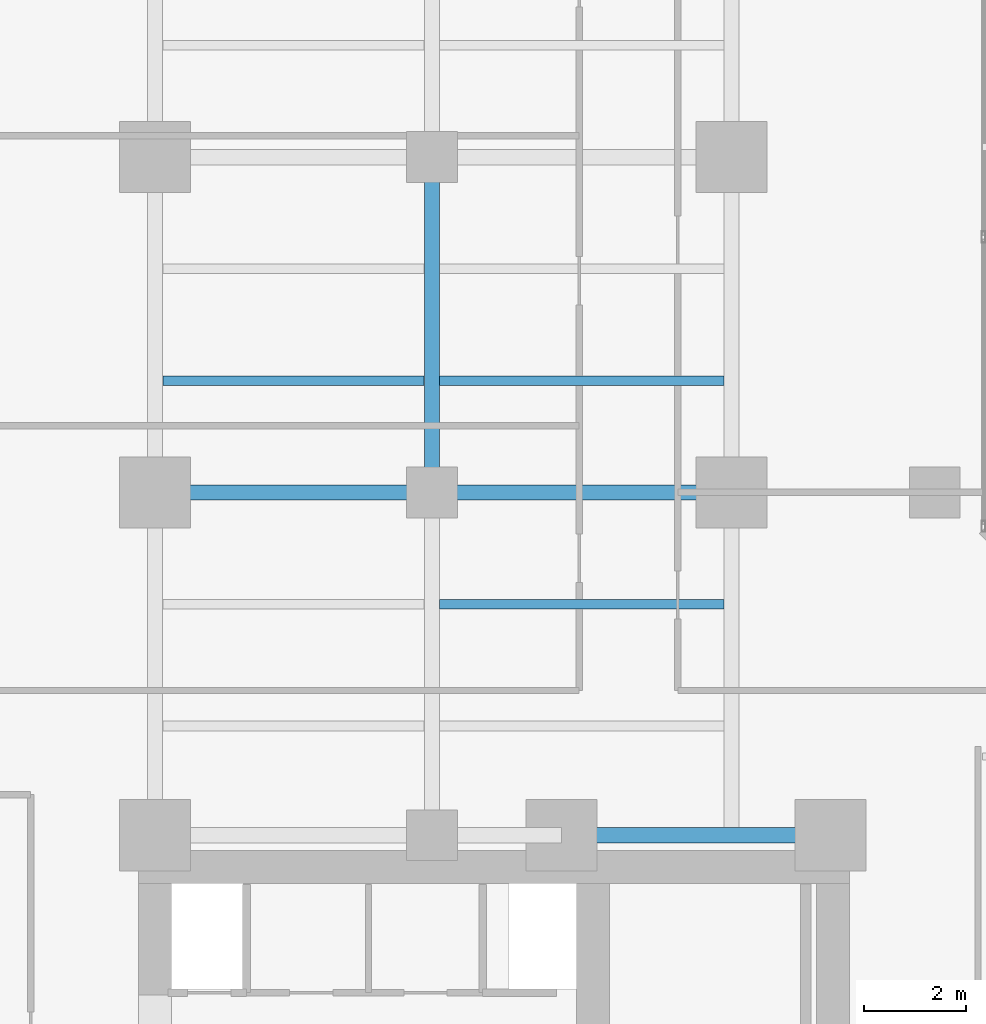
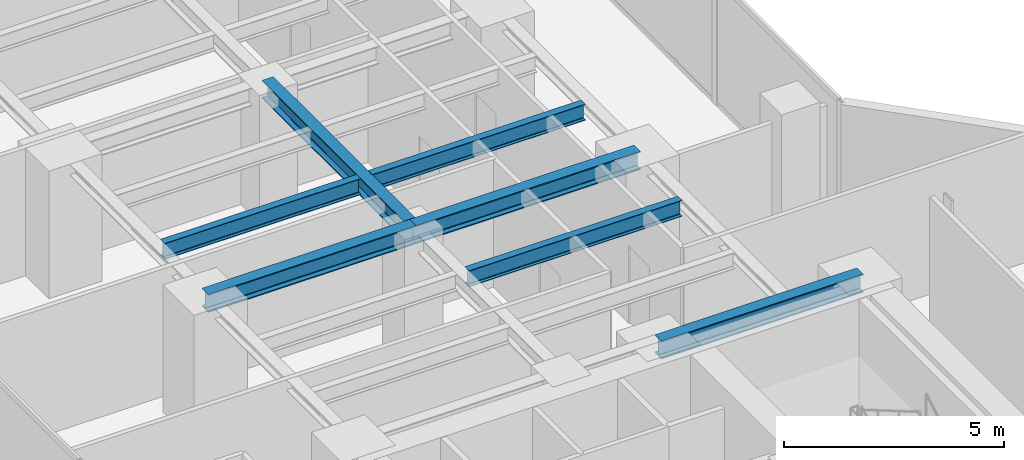
# One storey, part 9 of 26: 7 beams.
"""IFC4 building model written with IfcOpenShell, lengths in metres."""

from ifc_helpers import new_model, si_unit, direction, frame, origin, origin_2d, place, context, subcontext, project, spatial, i_section, extrude, material, material_profile, profile_set, type_object, element, save


model = new_model("IFC4")

# Units and contexts
model_context = context("Model", 3, precision=1e-05, world=origin(), true_north=direction((0.0, 1.0)))
body_context = subcontext(model_context, "Body", "Model", "MODEL_VIEW")
ifc_project = project(units=[si_unit("LENGTHUNIT", "METRE"), si_unit("AREAUNIT", "SQUARE_METRE"), si_unit("VOLUMEUNIT", "CUBIC_METRE"), si_unit("PLANEANGLEUNIT", "RADIAN"), si_unit("MASSUNIT", "GRAM", prefix="KILO")], contexts=[model_context])

# Site, building, storey
site_placement = place(None, origin())
site = spatial("IfcSite", under=ifc_project, at=site_placement, CompositionType="ELEMENT")
building_placement = place(site_placement, origin())
building = spatial("IfcBuilding", under=site, at=building_placement, Name="Kolvaren Waterfront Exchange", CompositionType="ELEMENT")
storey_placement = place(building_placement, frame((0.0, 0.0, 99.300048828125)))
storey = spatial("IfcBuildingStorey", under=building, at=storey_placement, Name="L25", CompositionType="ELEMENT", Elevation=99.300048828125)

# Beams
ifc_material = material(Name="Steel S355", Category="steel")
ifc_material_profile_1 = material_profile(ifc_material, i_section(OverallWidth=0.300048828125, OverallDepth=0.5, WebThickness=0.014404296875, FlangeThickness=0.028076171875, FilletRadius=0.027099609375, at=origin_2d()), Name="HEB500")
ifc_profile_set_1 = profile_set([ifc_material_profile_1], Name="Steel S355")
beam_type_1 = type_object("IfcBeamType", Name="STR-BM-HEB500", PredefinedType="BEAM", material=ifc_profile_set_1)
beam_1_placement = place(storey_placement, frame((15.449951171875, 24.449951171875, 3.2900390625), z_axis=(1.0, 0.0, 0.0), x_axis=(0.0, 1.0, 0.0)))
element("IfcBeam", 1, at=beam_1_placement, inside=storey, type_object=beam_type_1, Name="L25 north-arm girder 1C", PredefinedType="BEAM", context=body_context, shape_type="SweptSolid", body=[
    extrude(i_section(OverallWidth=0.300048828125, OverallDepth=0.5, WebThickness=0.014404296875, FlangeThickness=0.028076171875, FilletRadius=0.027099609375, at=origin_2d()), origin(), (0.0, 0.0, 1.0), 5.300048828125),
])
beam_2_placement = place(storey_placement, frame((7.449951171875, 31.199951171875, 3.2900390625), z_axis=(1.0, 0.0, 0.0), x_axis=(0.0, 1.0, 0.0)))
element("IfcBeam", 2, at=beam_2_placement, inside=storey, type_object=beam_type_1, Name="L25 north-arm girder 2A", PredefinedType="BEAM", context=body_context, shape_type="SweptSolid", body=[
    extrude(i_section(OverallWidth=0.300048828125, OverallDepth=0.5, WebThickness=0.014404296875, FlangeThickness=0.028076171875, FilletRadius=0.027099609375, at=origin_2d()), origin(), (0.0, 0.0, 1.0), 5.449951171875),
])
beam_3_placement = place(storey_placement, frame((12.89990234375, 31.199951171875, 3.2900390625), z_axis=(1.0, 0.0, 0.0), x_axis=(0.0, 1.0, 0.0)))
element("IfcBeam", 3, at=beam_3_placement, inside=storey, type_object=beam_type_1, Name="L25 north-arm girder 2B", PredefinedType="BEAM", context=body_context, shape_type="SweptSolid", body=[
    extrude(i_section(OverallWidth=0.300048828125, OverallDepth=0.5, WebThickness=0.014404296875, FlangeThickness=0.028076171875, FilletRadius=0.027099609375, at=origin_2d()), origin(), (0.0, 0.0, 1.0), 5.900146484375),
])
beam_4_placement = place(storey_placement, frame((12.89990234375, 31.199951171875, 3.2900390625), z_axis=(0.0, 1.0, 0.0), x_axis=(-1.0, 0.0, 0.0)))
element("IfcBeam", 4, at=beam_4_placement, inside=storey, type_object=beam_type_1, Name="L25 north-arm edge beam 2", PredefinedType="BEAM", context=body_context, shape_type="SweptSolid", body=[
    extrude(i_section(OverallWidth=0.300048828125, OverallDepth=0.5, WebThickness=0.014404296875, FlangeThickness=0.028076171875, FilletRadius=0.027099609375, at=origin_2d()), origin(), (0.0, 0.0, 1.0), 6.60009765625),
])
ifc_material_profile_2 = material_profile(ifc_material, i_section(OverallWidth=0.18994140625, OverallDepth=0.449951171875, WebThickness=0.009521484375, FlangeThickness=0.0146484375, FilletRadius=0.02099609375, at=origin_2d()), Name="IPE450")
ifc_profile_set_2 = profile_set([ifc_material_profile_2], Name="Steel S355")
beam_type_2 = type_object("IfcBeamType", Name="STR-BM-IPE450", PredefinedType="JOIST", material=ifc_profile_set_2)
beam_5_placement = place(storey_placement, frame((13.052001953125, 29.0, 3.31494140625), z_axis=(1.0, 0.0, 0.0), x_axis=(0.0, 1.0, 0.0)))
element("IfcBeam", 5, at=beam_5_placement, inside=storey, type_object=beam_type_2, Name="L25 north-arm composite joist 2B", PredefinedType="JOIST", context=body_context, shape_type="SweptSolid", body=[
    extrude(i_section(OverallWidth=0.18994140625, OverallDepth=0.449951171875, WebThickness=0.009521484375, FlangeThickness=0.0146484375, FilletRadius=0.02099609375, at=origin_2d()), origin(), (0.0, 0.0, 1.0), 5.595947265625),
])
beam_6_placement = place(storey_placement, frame((7.60205078125, 33.39990234375, 3.31494140625), z_axis=(1.0, 0.0, 0.0), x_axis=(0.0, 1.0, 0.0)))
element("IfcBeam", 6, at=beam_6_placement, inside=storey, type_object=beam_type_2, Name="L25 north-arm composite joist 3A", PredefinedType="JOIST", context=body_context, shape_type="SweptSolid", body=[
    extrude(i_section(OverallWidth=0.18994140625, OverallDepth=0.449951171875, WebThickness=0.009521484375, FlangeThickness=0.0146484375, FilletRadius=0.02099609375, at=origin_2d()), origin(), (0.0, 0.0, 1.0), 5.14599609375),
])
beam_7_placement = place(storey_placement, frame((13.052001953125, 33.39990234375, 3.31494140625), z_axis=(1.0, 0.0, 0.0), x_axis=(0.0, 1.0, 0.0)))
element("IfcBeam", 7, at=beam_7_placement, inside=storey, type_object=beam_type_2, Name="L25 north-arm composite joist 3B", PredefinedType="JOIST", context=body_context, shape_type="SweptSolid", body=[
    extrude(i_section(OverallWidth=0.18994140625, OverallDepth=0.449951171875, WebThickness=0.009521484375, FlangeThickness=0.0146484375, FilletRadius=0.02099609375, at=origin_2d()), origin(), (0.0, 0.0, 1.0), 5.595947265625),
])

save(model, "model.ifc")
